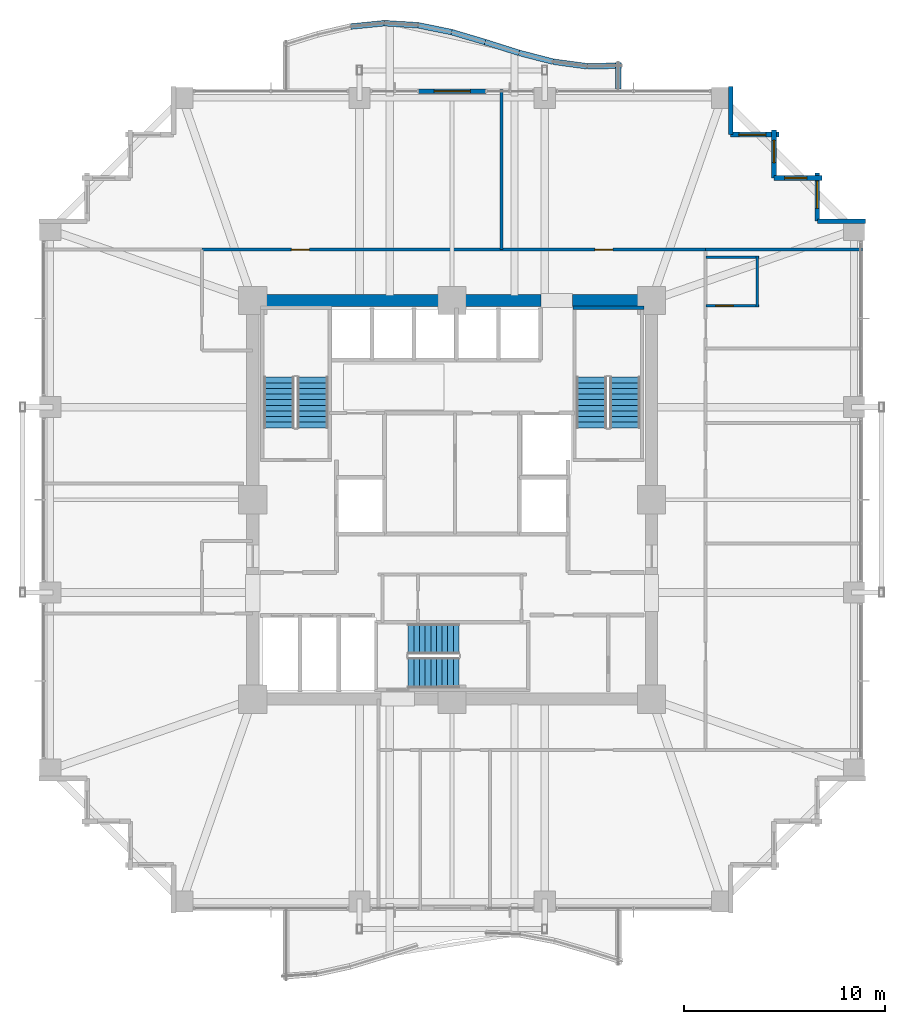
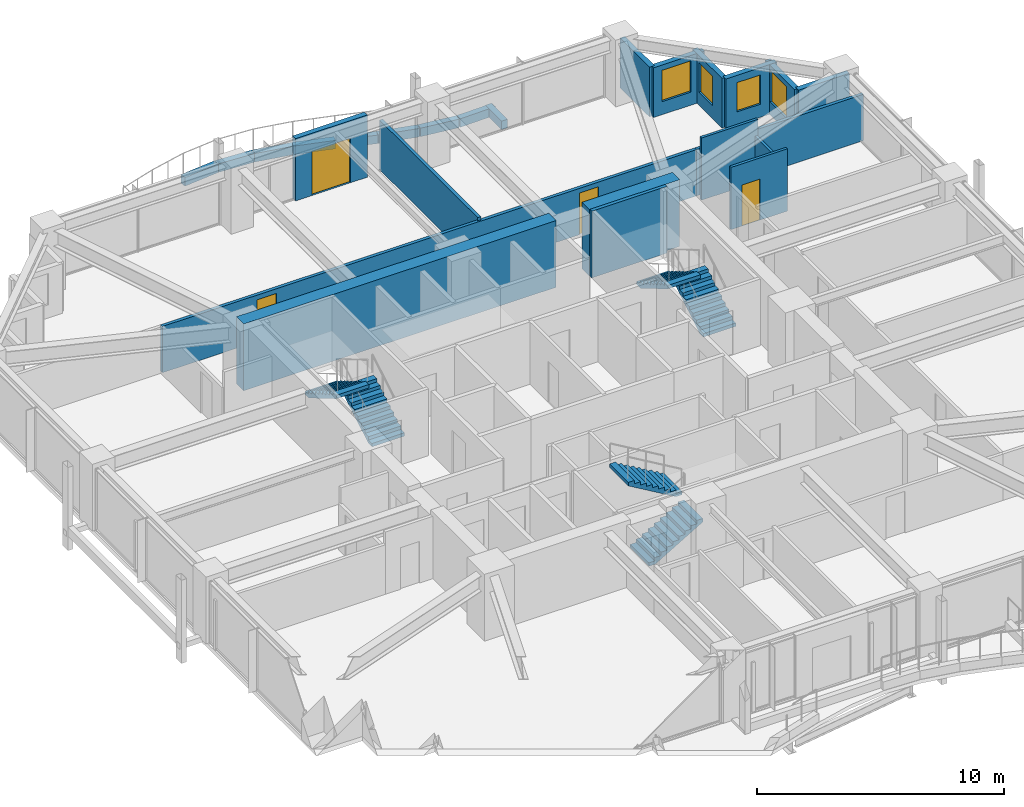
# One storey, part 35 of 38: 25 walls, 6 stair flights, 4 doors, 4 windows, 8 openings, 3 elements without a shape of their own.
"""IFC4 building model written with IfcOpenShell, lengths in metres."""

import ifcopenshell
import ifcopenshell.guid

model = None  # the IFC model being written
_history = None  # IfcOwnerHistory: only IFC2X3 demands one
_inside = {}  # id of a spatial element -> (the spatial element, [elements in it])
_under = {}  # id of a project, library or spatial element -> (it, [spatial elements below it])
_declared = {}  # id of a project -> (the project, [libraries it declares])
_typed = {}  # id of a type object -> (the type object, [elements of that type])
_made_of = {}  # id of a material, layer set ... -> (it, [elements and type objects made of it])


def new_model(schema):
    """Start an empty IFC model of exactly this schema.

    Asked for "IFC4X3", IfcOpenShell would pick the latest addendum, in which some entities
    have other attributes; the version numbers below select the first issue.
    IFC2X3 requires an IfcOwnerHistory on every rooted entity: one is made here for all.
    """
    global model, _history
    if schema == "IFC4X3":
        model = ifcopenshell.file(schema_version=(4, 3, 0, 0))
    else:
        model = ifcopenshell.file(schema=schema)
    _inside.clear()
    _under.clear()
    _declared.clear()
    _typed.clear()
    _made_of.clear()
    _history = None
    if model.schema == "IFC2X3":
        org = make("IfcOrganization", Name="unknown")
        user = make(
            "IfcPersonAndOrganization",
            ThePerson=make("IfcPerson", FamilyName="unknown"),
            TheOrganization=org,
        )
        app = make(
            "IfcApplication",
            ApplicationDeveloper=org,
            Version="unknown",
            ApplicationFullName="unknown",
            ApplicationIdentifier="unknown",
        )
        _history = make(
            "IfcOwnerHistory",
            OwningUser=user,
            OwningApplication=app,
            ChangeAction="ADDED",
            CreationDate=0,
        )
    return model


def make(cls, **values):
    """One entity of the class cls with the attributes given. An attribute that is None is left unset."""
    return model.create_entity(
        cls, **{name: value for name, value in values.items() if value is not None}
    )


def rooted(cls, **values):
    """An entity with a GlobalId (a new one), such as an element, a storey or a relation."""
    return make(cls, GlobalId=ifcopenshell.guid.new(), OwnerHistory=_history, **values)


def si_unit(unit_type, name, prefix=None):
    """IfcSIUnit, for example si_unit("LENGTHUNIT", "METRE", prefix="MILLI")."""
    return make("IfcSIUnit", UnitType=unit_type, Prefix=prefix, Name=name)


def assignment(units):
    """IfcUnitAssignment: the units of a project."""
    return None if units is None else make("IfcUnitAssignment", Units=units)


def point(xyz):
    """IfcCartesianPoint."""
    return None if xyz is None else make("IfcCartesianPoint", Coordinates=xyz)


def direction(xyz):
    """IfcDirection."""
    return None if xyz is None else make("IfcDirection", DirectionRatios=xyz)


def frame(location, z_axis=None, x_axis=None):
    """IfcAxis2Placement3D, a coordinate frame: its origin and axes. An axis left out is left unset."""
    return make(
        "IfcAxis2Placement3D",
        Location=point(location),
        Axis=direction(z_axis),
        RefDirection=direction(x_axis),
    )


def frame_2d(location, x_axis=None):
    """IfcAxis2Placement2D, a coordinate frame in the plane: its origin and x axis."""
    return make(
        "IfcAxis2Placement2D", Location=point(location), RefDirection=direction(x_axis)
    )


def origin():
    """The frame at (0, 0, 0) with its axes left unset."""
    return frame((0.0, 0.0, 0.0))


def place(relative_to, where):
    """IfcLocalPlacement: puts the frame where relative to a parent placement (None: the world)."""
    return make(
        "IfcLocalPlacement", PlacementRelTo=relative_to, RelativePlacement=where
    )


def context(
    kind, dimensions, precision=None, world=None, true_north=None, identifier=None
):
    """IfcGeometricRepresentationContext, for example the 3D "Model" context."""
    return make(
        "IfcGeometricRepresentationContext",
        ContextIdentifier=identifier,
        ContextType=kind,
        CoordinateSpaceDimension=dimensions,
        Precision=precision,
        WorldCoordinateSystem=world,
        TrueNorth=true_north,
    )


def subcontext(parent, identifier, kind, view, scale=None):
    """IfcGeometricRepresentationSubContext, for example "Body" below "Model"."""
    return make(
        "IfcGeometricRepresentationSubContext",
        ContextIdentifier=identifier,
        ContextType=kind,
        ParentContext=parent,
        TargetScale=scale,
        TargetView=view,
    )


def project(units=None, contexts=None):
    """IfcProject with its units and contexts."""
    return rooted(
        "IfcProject",
        Name="project",
        RepresentationContexts=contexts,
        UnitsInContext=assignment(units),
    )


def spatial(cls, under=None, at=None, **own):
    """A site, building, storey or space (cls), placed at a placement, below another one or the project."""
    s = rooted(cls, ObjectPlacement=at, **own)
    if under is not None:
        _under.setdefault(under.id(), (under, []))[1].append(s)
    return s


def polyline(points):
    """IfcPolyline through the points."""
    return make("IfcPolyline", Points=[point(p) for p in points])


def profile(cls, at=None, kind="AREA", **sizes):
    """A parametric profile (cls). Its sizes go by their IFC names, for example OverallWidth=200.0."""
    return make(cls, ProfileType=kind, Position=at, **sizes)


def rectangle(**sizes):
    """IfcRectangleProfileDef."""
    return profile("IfcRectangleProfileDef", **sizes)


def outline(outer, holes=None, kind="AREA"):
    """IfcArbitraryClosedProfileDef: a profile drawn as a closed curve; with holes, ...WithVoids."""
    if holes is None:
        return make("IfcArbitraryClosedProfileDef", ProfileType=kind, OuterCurve=outer)
    return make(
        "IfcArbitraryProfileDefWithVoids",
        ProfileType=kind,
        OuterCurve=outer,
        InnerCurves=holes,
    )


def extrude(swept, where, along, depth):
    """IfcExtrudedAreaSolid: the profile swept, set in the frame where, extruded along a direction by depth."""
    return make(
        "IfcExtrudedAreaSolid",
        SweptArea=swept,
        Position=where,
        ExtrudedDirection=direction(along),
        Depth=depth,
    )


def shape(context_of_items, identifier, shape_type, items):
    """IfcShapeRepresentation: the items that make up one representation, for example the "Body"."""
    return make(
        "IfcShapeRepresentation",
        ContextOfItems=context_of_items,
        RepresentationIdentifier=identifier,
        RepresentationType=shape_type,
        Items=items,
    )


def material(Name=None, Category=None):
    """IfcMaterial."""
    return make("IfcMaterial", Name=Name, Category=Category)


def layer(
    of_material, thickness, ventilated=None, Name=None, Category=None, Priority=None
):
    """IfcMaterialLayer: one layer of a wall or slab, of a material (None: an air gap)."""
    return make(
        "IfcMaterialLayer",
        Material=of_material,
        LayerThickness=thickness,
        IsVentilated=ventilated,
        Name=Name,
        Category=Category,
        Priority=Priority,
    )


def layer_set(layers, Name=None):
    """IfcMaterialLayerSet."""
    return make("IfcMaterialLayerSet", MaterialLayers=layers, LayerSetName=Name)


def made_of(thing, what):
    """Note that an element or type object is made of a material, layer set ...; save() writes the relation."""
    if what is not None:
        _made_of.setdefault(what.id(), (what, []))[1].append(thing)
    return thing


def type_object(cls, material=None, **own):
    """A type object (cls), such as IfcWallType, which elements share."""
    return made_of(rooted(cls, **own), material)


def element(
    cls,
    number,
    at=None,
    inside=None,
    cuts=None,
    type_object=None,
    material=None,
    context=None,
    identifier="Body",
    shape_type=None,
    held_by="IfcProductDefinitionShape",
    body=None,
    shapes=None,
    **own,
):
    """One element of the class cls, such as IfcWall. Its Tag is "e" and its number.

    at: its placement. inside: the storey or other place that contains it. cuts: it is an
    opening in that element (IfcRelVoidsElement). A single representation is given by context,
    identifier, shape_type and body (its items); several are given by shapes. held_by: the class
    of the entity that holds the representations. save() writes the other relations.
    """
    e = rooted(cls, Tag="e%d" % number, ObjectPlacement=at, **own)
    if body is not None:
        shapes = [shape(context, identifier, shape_type, body)]
    if shapes is not None:
        e.Representation = make(held_by, Representations=shapes)
    if inside is not None:
        _inside.setdefault(inside.id(), (inside, []))[1].append(e)
    if cuts is not None:
        rooted(
            "IfcRelVoidsElement", RelatingBuildingElement=cuts, RelatedOpeningElement=e
        )
    if type_object is not None:
        _typed.setdefault(type_object.id(), (type_object, []))[1].append(e)
    return made_of(e, material)


def fill(opening, filler):
    """IfcRelFillsElement: the door or window that sits in an opening."""
    return rooted(
        "IfcRelFillsElement",
        RelatingOpeningElement=opening,
        RelatedBuildingElement=filler,
    )


def aggregate(whole, parts):
    """IfcRelAggregates: a whole, such as a stair, and the parts it consists of."""
    return rooted("IfcRelAggregates", RelatingObject=whole, RelatedObjects=parts)


def save(model, path):
    """Write the relations noted so far, then the file.

    IfcRelAggregates (storeys below a building ...), IfcRelContainedInSpatialStructure (elements
    in a storey), IfcRelDefinesByType, IfcRelAssociatesMaterial and IfcRelDeclares: one each for
    every whole, place, type object, material and project.
    """
    for whole, parts in _under.values():
        aggregate(whole, parts)
    for where, things in _inside.values():
        rooted(
            "IfcRelContainedInSpatialStructure",
            RelatedElements=things,
            RelatingStructure=where,
        )
    for kind, things in _typed.values():
        rooted("IfcRelDefinesByType", RelatedObjects=things, RelatingType=kind)
    for what, things in _made_of.values():
        rooted("IfcRelAssociatesMaterial", RelatedObjects=things, RelatingMaterial=what)
    for by, libraries in _declared.values():
        rooted("IfcRelDeclares", RelatingContext=by, RelatedDefinitions=libraries)
    model.write(path)


model = new_model("IFC4")

# Units and contexts
model_context = context("Model", 3, precision=1e-05, world=origin(), true_north=direction((0.0, 1.0)))
body_context = subcontext(model_context, "Body", "Model", "MODEL_VIEW")
ifc_project = project(units=[si_unit("LENGTHUNIT", "METRE"), si_unit("AREAUNIT", "SQUARE_METRE"), si_unit("VOLUMEUNIT", "CUBIC_METRE"), si_unit("PLANEANGLEUNIT", "RADIAN"), si_unit("MASSUNIT", "GRAM", prefix="KILO")], contexts=[model_context])

# Site, building, storey
site_placement = place(None, origin())
site = spatial("IfcSite", under=ifc_project, at=site_placement, CompositionType="ELEMENT")
building_placement = place(site_placement, origin())
building = spatial("IfcBuilding", under=site, at=building_placement, Name="Kolvaren Belvedere", CompositionType="ELEMENT")
storey_placement = place(building_placement, frame((0.0, 0.0, 72.199951171875)))
storey = spatial("IfcBuildingStorey", under=building, at=storey_placement, Name="L20", CompositionType="ELEMENT", Elevation=72.199951171875)

# Walls
ifc_material_1 = material(Name="Concrete C60/75", Category="concrete")
ifc_layer_1 = layer(ifc_material_1, 0.60009765625)
ifc_layer_set_1 = layer_set([ifc_layer_1], Name="Concrete C60/75")
wall_type_1 = type_object("IfcWallType", Name="CW-CORE-600", PredefinedType="SHEAR", material=ifc_layer_set_1)
wall_1_placement = place(storey_placement, frame((-10.199951171875, 9.89990234375, 0.0), z_axis=(0.0, 0.0, 1.0), x_axis=(1.0, 0.0, 0.0)))
element("IfcWall", 1, at=wall_1_placement, inside=storey, type_object=wall_type_1, Name="L20 North Core Shear Wall 1", PredefinedType="SHEAR", context=body_context, shape_type="SweptSolid", body=[
    extrude(rectangle(XDim=14.619873046875, YDim=0.60009765625, at=frame_2d((7.31005859375, 0.0))), origin(), (0.0, 0.0, 1.0), 3.300048828125),
])
wall_2_placement = place(storey_placement, frame((5.97998046875, 9.89990234375, 0.0), z_axis=(0.0, 0.0, 1.0), x_axis=(1.0, 0.0, 0.0)))
element("IfcWall", 2, at=wall_2_placement, inside=storey, type_object=wall_type_1, Name="L20 North Core Shear Wall 2", PredefinedType="SHEAR", context=body_context, shape_type="SweptSolid", body=[
    extrude(rectangle(XDim=4.219970703125, YDim=0.60009765625, at=frame_2d((2.10986328125, 0.0))), origin(), (0.0, 0.0, 1.0), 3.300048828125),
])
ifc_material_2 = material(Name="Concrete C50/60", Category="concrete")
ifc_layer_2 = layer(ifc_material_2, 0.159912109375)
ifc_layer_set_2 = layer_set([ifc_layer_2], Name="Concrete C50/60")
wall_type_2 = type_object("IfcWallType", Name="CW-STAIR-160", PredefinedType="SHEAR", material=ifc_layer_set_2)
wall_3_placement = place(storey_placement, frame((6.0, 9.530029296875, 0.0), z_axis=(0.0, 0.0, 1.0), x_axis=(1.0, 0.0, 0.0)))
element("IfcWall", 3, at=wall_3_placement, inside=storey, type_object=wall_type_2, Name="L20 Stair ST-2 North Shear Wall", PredefinedType="SHEAR", context=body_context, shape_type="SweptSolid", body=[
    extrude(rectangle(XDim=3.52001953125, YDim=0.159912109375, at=frame_2d((1.760009765625, 0.0))), origin(), (0.0, 0.0, 1.0), 3.300048828125),
])

# Wall, openings, doors
ifc_material_3 = material(Name="Gypsum fire-rated partition assembly", Category="gypsum")
ifc_layer_3 = layer(ifc_material_3, 0.14990234375)
ifc_layer_set_3 = layer_set([ifc_layer_3], Name="Gypsum fire-rated partition assembly")
wall_type_3 = type_object("IfcWallType", Name="WL-CORR-150", PredefinedType="PARTITIONING", material=ifc_layer_set_3)
wall_4_placement = place(storey_placement, frame((-12.419921875, 12.419921875, 0.0), z_axis=(0.0, 0.0, 1.0), x_axis=(1.0, 0.0, 0.0)))
wall_4 = element("IfcWall", 4, at=wall_4_placement, inside=storey, type_object=wall_type_3, Name="L20 North Corridor Wall", PredefinedType="PARTITIONING", context=body_context, shape_type="SweptSolid", body=[
    extrude(rectangle(XDim=25.0, YDim=0.14990234375, at=frame_2d((12.5, 0.0))), origin(), (0.0, 0.0, 1.0), 2.2919921875),
])
opening_1_placement = place(wall_4_placement, frame((4.43505859375, 0.0, 0.0)))
opening_1 = element("IfcOpeningElement", 5, at=opening_1_placement, cuts=wall_4, Name="Opening D-INT90", PredefinedType="OPENING", context=body_context, shape_type="SweptSolid", body=[
    extrude(rectangle(XDim=0.89990234375, YDim=2.06005859375, at=frame_2d((0.449951171875, 1.030029296875))), frame((0.0, 0.0849609375, 0.0), z_axis=(0.0, -1.0, 0.0), x_axis=(1.0, 0.0, 0.0)), (0.0, 0.0, 1.0), 0.169921875),
])
opening_2_placement = place(wall_4_placement, frame((19.5048828125, 0.0, 0.0)))
opening_2 = element("IfcOpeningElement", 6, at=opening_2_placement, cuts=wall_4, Name="Opening D-INT90", PredefinedType="OPENING", context=body_context, shape_type="SweptSolid", body=[
    extrude(rectangle(XDim=0.89990234375, YDim=2.06005859375, at=frame_2d((0.449951171875, 1.030029296875))), frame((0.0, 0.0849609375, 0.0), z_axis=(0.0, -1.0, 0.0), x_axis=(1.0, 0.0, 0.0)), (0.0, 0.0, 1.0), 0.169921875),
])
ifc_material_4 = material(Name="Stained Pacific white oak", Category="timber")
door_type_1 = type_object("IfcDoorType", Name="DR-INT-900", OperationType="NOTDEFINED", PredefinedType="DOOR", material=ifc_material_4)
door_1_placement = place(opening_1_placement, origin())
door_1 = element("IfcDoor", 7, at=door_1_placement, inside=storey, type_object=door_type_1, Name="L20 Lounge 2001 Door", OperationType="SINGLE_SWING_RIGHT", OverallHeight=2.06005859375, OverallWidth=0.89990234375, PredefinedType="DOOR", context=body_context, shape_type="SweptSolid", body=[
    extrude(rectangle(XDim=0.89990234375, YDim=2.06005859375, at=frame_2d((0.449951171875, 1.030029296875))), frame((0.0, 0.02490234375, 0.0), z_axis=(0.0, -1.0, 0.0), x_axis=(1.0, 0.0, 0.0)), (0.0, 0.0, 1.0), 0.050048828125),
])
fill(opening_1, door_1)
door_2_placement = place(opening_2_placement, origin())
door_2 = element("IfcDoor", 8, at=door_2_placement, inside=storey, type_object=door_type_1, Name="L20 Lounge 2002 Door", OperationType="SINGLE_SWING_LEFT", OverallHeight=2.06005859375, OverallWidth=0.89990234375, PredefinedType="DOOR", context=body_context, shape_type="SweptSolid", body=[
    extrude(rectangle(XDim=0.89990234375, YDim=2.06005859375, at=frame_2d((0.449951171875, 1.030029296875))), frame((0.0, 0.02490234375, 0.0), z_axis=(0.0, -1.0, 0.0), x_axis=(1.0, 0.0, 0.0)), (0.0, 0.0, 1.0), 0.050048828125),
])
fill(opening_2, door_2)

# Wall
ifc_material_5 = material(Name="Insulated pale-metal facade wall assembly", Category="aluminium")
ifc_layer_4 = layer(ifc_material_5, 0.239990234375)
ifc_layer_set_4 = layer_set([ifc_layer_4], Name="Insulated pale-metal facade wall assembly")
wall_type_4 = type_object("IfcWallType", Name="WL-EXT-240", PredefinedType="STANDARD", material=ifc_layer_set_4)
wall_5_placement = place(storey_placement, frame((18.1298828125, 13.830078125, 0.0), z_axis=(0.0, 0.0, 1.0), x_axis=(1.0, 0.0, 0.0)))
element("IfcWall", 9, at=wall_5_placement, inside=storey, type_object=wall_type_4, Name="L20 Serrated Corner Facade Wall 9", PredefinedType="STANDARD", context=body_context, shape_type="SweptSolid", body=[
    extrude(rectangle(XDim=2.39013671875, YDim=0.239990234375, at=frame_2d((1.195068359375, 0.0))), origin(), (0.0, 0.0, 1.0), 2.458984375),
])

# Wall, opening, window
wall_6_placement = place(storey_placement, frame((18.1298828125, 16.219970703125, 0.0), z_axis=(0.0, 0.0, 1.0), x_axis=(0.0, -1.0, 0.0)))
wall_6 = element("IfcWall", 10, at=wall_6_placement, inside=storey, type_object=wall_type_4, Name="L20 Serrated Corner Facade Wall 10", PredefinedType="STANDARD", context=body_context, shape_type="SweptSolid", body=[
    extrude(rectangle(XDim=2.389892578125, YDim=0.239990234375, at=frame_2d((1.19482421875, 0.0))), origin(), (0.0, 0.0, 1.0), 2.458984375),
])
opening_3_placement = place(wall_6_placement, frame((0.39990234375, 0.0, 0.64990234375)))
opening_3 = element("IfcOpeningElement", 11, at=opening_3_placement, cuts=wall_6, Name="Opening W-1350", PredefinedType="OPENING", context=body_context, shape_type="SweptSolid", body=[
    extrude(rectangle(XDim=1.35009765625, YDim=1.550048828125, at=frame_2d((0.675048828125, 0.77490234375))), frame((0.0, 0.1298828125, 0.0), z_axis=(0.0, -1.0, 0.0), x_axis=(1.0, 0.0, 0.0)), (0.0, 0.0, 1.0), 0.260009765625),
])
ifc_material_6 = material(Name="Low-iron triple insulated glass", Category="glass")
window_type_1 = type_object("IfcWindowType", Name="WN-CORN-1350", PartitioningType="SINGLE_PANEL", PredefinedType="WINDOW", material=ifc_material_6)
window_1_placement = place(opening_3_placement, origin())
window_1 = element("IfcWindow", 12, at=window_1_placement, inside=storey, type_object=window_type_1, Name="L20 Serrated Corner Vision Window 10", OverallHeight=1.550048828125, OverallWidth=1.35009765625, PartitioningType="SINGLE_PANEL", PredefinedType="WINDOW", context=body_context, shape_type="SweptSolid", body=[
    extrude(rectangle(XDim=1.35009765625, YDim=1.550048828125, at=frame_2d((0.675048828125, 0.77490234375))), frame((0.0, 0.030029296875, 0.0), z_axis=(0.0, -1.0, 0.0), x_axis=(1.0, 0.0, 0.0)), (0.0, 0.0, 1.0), 0.06005859375),
])
fill(opening_3, window_1)

wall_7_placement = place(storey_placement, frame((15.97998046875, 15.97998046875, 0.0), z_axis=(0.0, 0.0, 1.0), x_axis=(1.0, 0.0, 0.0)))
wall_7 = element("IfcWall", 13, at=wall_7_placement, inside=storey, type_object=wall_type_4, Name="L20 Serrated Corner Facade Wall 11", PredefinedType="STANDARD", context=body_context, shape_type="SweptSolid", body=[
    extrude(rectangle(XDim=2.39013671875, YDim=0.239990234375, at=frame_2d((1.195068359375, 0.0))), origin(), (0.0, 0.0, 1.0), 2.458984375),
])
opening_4_placement = place(wall_7_placement, frame((0.52490234375, 0.0, 0.64990234375)))
opening_4 = element("IfcOpeningElement", 14, at=opening_4_placement, cuts=wall_7, Name="Opening W-1100", PredefinedType="OPENING", context=body_context, shape_type="SweptSolid", body=[
    extrude(rectangle(XDim=1.10009765625, YDim=1.449951171875, at=frame_2d((0.550048828125, 0.72509765625))), frame((0.0, 0.1298828125, 0.0), z_axis=(0.0, -1.0, 0.0), x_axis=(1.0, 0.0, 0.0)), (0.0, 0.0, 1.0), 0.260009765625),
])
ifc_material_7 = material(Name="Low-iron triple insulated glass", Category="glass")
window_type_2 = type_object("IfcWindowType", Name="WN-CORN-1100", PartitioningType="SINGLE_PANEL", PredefinedType="WINDOW", material=ifc_material_7)
window_2_placement = place(opening_4_placement, origin())
window_2 = element("IfcWindow", 15, at=window_2_placement, inside=storey, type_object=window_type_2, Name="L20 Serrated Corner Vision Window 11", OverallHeight=1.449951171875, OverallWidth=1.10009765625, PartitioningType="SINGLE_PANEL", PredefinedType="WINDOW", context=body_context, shape_type="SweptSolid", body=[
    extrude(rectangle(XDim=1.10009765625, YDim=1.449951171875, at=frame_2d((0.550048828125, 0.72509765625))), frame((0.0, 0.030029296875, 0.0), z_axis=(0.0, -1.0, 0.0), x_axis=(1.0, 0.0, 0.0)), (0.0, 0.0, 1.0), 0.06005859375),
])
fill(opening_4, window_2)

wall_8_placement = place(storey_placement, frame((15.97998046875, 18.3701171875, 0.0), z_axis=(0.0, 0.0, 1.0), x_axis=(0.0, -1.0, 0.0)))
wall_8 = element("IfcWall", 16, at=wall_8_placement, inside=storey, type_object=wall_type_4, Name="L20 Serrated Corner Facade Wall 12", PredefinedType="STANDARD", context=body_context, shape_type="SweptSolid", body=[
    extrude(rectangle(XDim=2.39013671875, YDim=0.239990234375, at=frame_2d((1.195068359375, 0.0))), origin(), (0.0, 0.0, 1.0), 2.458984375),
])
opening_5_placement = place(wall_8_placement, frame((0.52490234375, 0.0, 0.64990234375)))
opening_5 = element("IfcOpeningElement", 17, at=opening_5_placement, cuts=wall_8, Name="Opening W-1100", PredefinedType="OPENING", context=body_context, shape_type="SweptSolid", body=[
    extrude(rectangle(XDim=1.10009765625, YDim=1.449951171875, at=frame_2d((0.550048828125, 0.72509765625))), frame((0.0, 0.1298828125, 0.0), z_axis=(0.0, -1.0, 0.0), x_axis=(1.0, 0.0, 0.0)), (0.0, 0.0, 1.0), 0.260009765625),
])
window_3_placement = place(opening_5_placement, origin())
window_3 = element("IfcWindow", 18, at=window_3_placement, inside=storey, type_object=window_type_2, Name="L20 Serrated Corner Vision Window 12", OverallHeight=1.449951171875, OverallWidth=1.10009765625, PartitioningType="SINGLE_PANEL", PredefinedType="WINDOW", context=body_context, shape_type="SweptSolid", body=[
    extrude(rectangle(XDim=1.10009765625, YDim=1.449951171875, at=frame_2d((0.550048828125, 0.72509765625))), frame((0.0, 0.030029296875, 0.0), z_axis=(0.0, -1.0, 0.0), x_axis=(1.0, 0.0, 0.0)), (0.0, 0.0, 1.0), 0.06005859375),
])
fill(opening_5, window_3)

wall_9_placement = place(storey_placement, frame((13.830078125, 18.1298828125, 0.0), z_axis=(0.0, 0.0, 1.0), x_axis=(1.0, 0.0, 0.0)))
wall_9 = element("IfcWall", 19, at=wall_9_placement, inside=storey, type_object=wall_type_4, Name="L20 Serrated Corner Facade Wall 13", PredefinedType="STANDARD", context=body_context, shape_type="SweptSolid", body=[
    extrude(rectangle(XDim=2.389892578125, YDim=0.239990234375, at=frame_2d((1.19482421875, 0.0))), origin(), (0.0, 0.0, 1.0), 2.458984375),
])
opening_6_placement = place(wall_9_placement, frame((0.39990234375, 0.0, 0.64990234375)))
opening_6 = element("IfcOpeningElement", 20, at=opening_6_placement, cuts=wall_9, Name="Opening W-1350", PredefinedType="OPENING", context=body_context, shape_type="SweptSolid", body=[
    extrude(rectangle(XDim=1.35009765625, YDim=1.550048828125, at=frame_2d((0.675048828125, 0.77490234375))), frame((0.0, 0.1298828125, 0.0), z_axis=(0.0, -1.0, 0.0), x_axis=(1.0, 0.0, 0.0)), (0.0, 0.0, 1.0), 0.260009765625),
])
window_4_placement = place(opening_6_placement, origin())
window_4 = element("IfcWindow", 21, at=window_4_placement, inside=storey, type_object=window_type_1, Name="L20 Serrated Corner Vision Window 13", OverallHeight=1.550048828125, OverallWidth=1.35009765625, PartitioningType="SINGLE_PANEL", PredefinedType="WINDOW", context=body_context, shape_type="SweptSolid", body=[
    extrude(rectangle(XDim=1.35009765625, YDim=1.550048828125, at=frame_2d((0.675048828125, 0.77490234375))), frame((0.0, 0.030029296875, 0.0), z_axis=(0.0, -1.0, 0.0), x_axis=(1.0, 0.0, 0.0)), (0.0, 0.0, 1.0), 0.06005859375),
])
fill(opening_6, window_4)

# Wall
wall_10_placement = place(storey_placement, frame((13.830078125, 20.52001953125, 0.0), z_axis=(0.0, 0.0, 1.0), x_axis=(0.0, -1.0, 0.0)))
element("IfcWall", 22, at=wall_10_placement, inside=storey, type_object=wall_type_4, Name="L20 Serrated Corner Facade Wall 14", PredefinedType="STANDARD", context=body_context, shape_type="SweptSolid", body=[
    extrude(rectangle(XDim=2.39013671875, YDim=0.239990234375, at=frame_2d((1.195068359375, 0.0))), origin(), (0.0, 0.0, 1.0), 2.458984375),
])

# Wall, opening, door
wall_11_placement = place(storey_placement, frame((-1.679931640625, 20.280029296875, 0.0), z_axis=(0.0, 0.0, 1.0), x_axis=(1.0, 0.0, 0.0)))
wall_11 = element("IfcWall", 23, at=wall_11_placement, inside=storey, type_object=wall_type_4, Name="L20 North Terrace Portal Wall", PredefinedType="STANDARD", context=body_context, shape_type="SweptSolid", body=[
    extrude(rectangle(XDim=3.35986328125, YDim=0.239990234375, at=frame_2d((1.679931640625, 0.0))), origin(), (0.0, 0.0, 1.0), 3.080078125),
])
opening_7_placement = place(wall_11_placement, frame((0.780029296875, 0.0, 0.0)))
opening_7 = element("IfcOpeningElement", 24, at=opening_7_placement, cuts=wall_11, Name="Opening DB-1800", PredefinedType="OPENING", context=body_context, shape_type="SweptSolid", body=[
    extrude(rectangle(XDim=1.800048828125, YDim=2.199951171875, at=frame_2d((0.89990234375, 1.10009765625))), frame((0.0, 0.1298828125, 0.0), z_axis=(0.0, -1.0, 0.0), x_axis=(1.0, 0.0, 0.0)), (0.0, 0.0, 1.0), 0.260009765625),
])
ifc_material_8 = material(Name="Thermally broken pale-metal aluminium & low-iron glass", Category="aluminium")
door_type_2 = type_object("IfcDoorType", Name="DR-BAL-1800", OperationType="DOUBLE_DOOR_SLIDING", PredefinedType="DOOR", material=ifc_material_8)
door_3_placement = place(opening_7_placement, origin())
door_3 = element("IfcDoor", 25, at=door_3_placement, inside=storey, type_object=door_type_2, Name="L20 North Planted Terrace Sliding Door", OperationType="DOUBLE_DOOR_SLIDING", OverallHeight=2.199951171875, OverallWidth=1.800048828125, PredefinedType="DOOR", context=body_context, shape_type="SweptSolid", body=[
    extrude(rectangle(XDim=1.800048828125, YDim=2.199951171875, at=frame_2d((0.89990234375, 1.10009765625))), frame((0.0, 0.02490234375, 0.0), z_axis=(0.0, -1.0, 0.0), x_axis=(1.0, 0.0, 0.0)), (0.0, 0.0, 1.0), 0.050048828125),
])
fill(opening_7, door_3)

# Walls
ifc_material_9 = material(Name="Gypsum acoustic partition assembly", Category="gypsum")
ifc_layer_5 = layer(ifc_material_9, 0.14990234375)
ifc_layer_set_5 = layer_set([ifc_layer_5], Name="Gypsum acoustic partition assembly")
wall_type_5 = type_object("IfcWallType", Name="WL-PART-150", PredefinedType="PARTITIONING", material=ifc_layer_set_5)
wall_12_placement = place(storey_placement, frame((12.580078125, 12.419921875, 0.0), z_axis=(0.0, 0.0, 1.0), x_axis=(1.0, 0.0, 0.0)))
element("IfcWall", 26, at=wall_12_placement, inside=storey, type_object=wall_type_5, Name="L20 Wing Divider PW-L20-QNE", PredefinedType="PARTITIONING", context=body_context, shape_type="SweptSolid", body=[
    extrude(rectangle(XDim=7.7998046875, YDim=0.14990234375, at=frame_2d((3.89990234375, 0.0))), origin(), (0.0, 0.0, 1.0), 2.2919921875),
])
wall_13_placement = place(storey_placement, frame((2.451904296875, 12.419921875, 0.0), z_axis=(0.0, 0.0, 1.0), x_axis=(0.0, 1.0, 0.0)))
element("IfcWall", 27, at=wall_13_placement, inside=storey, type_object=wall_type_5, Name="L20 North Suite Demising Wall 1", PredefinedType="PARTITIONING", context=body_context, shape_type="SweptSolid", body=[
    extrude(rectangle(XDim=7.9599609375, YDim=0.14990234375, at=frame_2d((3.97998046875, 0.0))), origin(), (0.0, 0.0, 1.0), 2.448974609375),
])
ifc_material_10 = material(Name="Precast concrete C40/50", Category="concrete")
ifc_layer_6 = layer(ifc_material_10, 0.300048828125)
ifc_layer_set_6 = layer_set([ifc_layer_6], Name="Precast concrete C40/50")
wall_type_6 = type_object("IfcWallType", Name="WL-PLANTER-300", PredefinedType="PARAPET", material=ifc_layer_set_6)
wall_14_placement = place(storey_placement, frame((8.239990234375, 20.39990234375, -0.0400390625), z_axis=(0.0, 0.0, 1.0), x_axis=(0.0, 1.0, 0.0)))
element("IfcWall", 28, at=wall_14_placement, inside=storey, type_object=wall_type_6, Name="L20 Precast Structural Planter Wall BAL-N-11", PredefinedType="PARAPET", context=body_context, shape_type="SweptSolid", body=[
    extrude(rectangle(XDim=1.31298828125, YDim=0.280029296875, at=frame_2d((0.656494140625, 0.0))), origin(), (0.0, 0.0, 1.0), 0.420166015625),
])
wall_15_placement = place(storey_placement, frame((8.4033203125, 21.552978515625, -0.0400390625), z_axis=(0.0, 0.0, 1.0), x_axis=(-0.99979609052, -0.020193498486, 0.0)))
element("IfcWall", 29, at=wall_15_placement, inside=storey, type_object=wall_type_6, Name="L20 Precast Structural Planter Wall BAL-N-12", PredefinedType="PARAPET", context=body_context, shape_type="SweptSolid", body=[
    extrude(rectangle(XDim=1.680419921875, YDim=0.280029296875, at=frame_2d((0.84033203125, 0.0))), origin(), (0.0, 0.0, 1.0), 0.420166015625),
])
wall_16_placement = place(storey_placement, frame((6.698486328125, 21.5205078125, -0.0400390625), z_axis=(0.0, 0.0, 1.0), x_axis=(-0.990858183042, 0.134907602079, 0.0)))
element("IfcWall", 30, at=wall_16_placement, inside=storey, type_object=wall_type_6, Name="L20 Precast Structural Planter Wall BAL-N-13", PredefinedType="PARAPET", context=body_context, shape_type="SweptSolid", body=[
    extrude(rectangle(XDim=1.695556640625, YDim=0.280029296875, at=frame_2d((0.84765625, 0.0))), origin(), (0.0, 0.0, 1.0), 0.420166015625),
])
wall_17_placement = place(storey_placement, frame((5.0, 21.7529296875, -0.0400390625), z_axis=(0.0, 0.0, 1.0), x_axis=(-0.968141031826, 0.250405556038, 0.0)))
element("IfcWall", 31, at=wall_17_placement, inside=storey, type_object=wall_type_6, Name="L20 Precast Structural Planter Wall BAL-N-14", PredefinedType="PARAPET", context=body_context, shape_type="SweptSolid", body=[
    extrude(rectangle(XDim=1.7353515625, YDim=0.280029296875, at=frame_2d((0.86767578125, 0.0))), origin(), (0.0, 0.0, 1.0), 0.420166015625),
])
wall_18_placement = place(storey_placement, frame((3.3115234375, 22.18994140625, -0.0400390625), z_axis=(0.0, 0.0, 1.0), x_axis=(-0.953181954832, 0.302397356111, 0.0)))
element("IfcWall", 32, at=wall_18_placement, inside=storey, type_object=wall_type_6, Name="L20 Precast Structural Planter Wall BAL-N-15", PredefinedType="PARAPET", context=body_context, shape_type="SweptSolid", body=[
    extrude(rectangle(XDim=1.762451171875, YDim=0.280029296875, at=frame_2d((0.88134765625, 0.0))), origin(), (0.0, 0.0, 1.0), 0.420166015625),
])
wall_19_placement = place(storey_placement, frame((1.634521484375, 22.721923828125, -0.0400390625), z_axis=(0.0, 0.0, 1.0), x_axis=(-0.958536356279, 0.284970268083, 0.0)))
element("IfcWall", 33, at=wall_19_placement, inside=storey, type_object=wall_type_6, Name="L20 Precast Structural Planter Wall BAL-N-16", PredefinedType="PARAPET", context=body_context, shape_type="SweptSolid", body=[
    extrude(rectangle(XDim=1.7529296875, YDim=0.280029296875, at=frame_2d((0.87646484375, 0.0))), origin(), (0.0, 0.0, 1.0), 0.420166015625),
])
wall_20_placement = place(storey_placement, frame((-0.031982421875, 23.218017578125, -0.0400390625), z_axis=(0.0, 0.0, 1.0), x_axis=(-0.979867779516, 0.199647526069, 0.0)))
element("IfcWall", 34, at=wall_20_placement, inside=storey, type_object=wall_type_6, Name="L20 Precast Structural Planter Wall BAL-N-17", PredefinedType="PARAPET", context=body_context, shape_type="SweptSolid", body=[
    extrude(rectangle(XDim=1.71435546875, YDim=0.280029296875, at=frame_2d((0.857177734375, 0.0))), origin(), (0.0, 0.0, 1.0), 0.420166015625),
])
wall_21_placement = place(storey_placement, frame((-1.689697265625, 23.5576171875, -0.0400390625), z_axis=(0.0, 0.0, 1.0), x_axis=(-0.998134101522, 0.061059932685, 0.0)))
element("IfcWall", 35, at=wall_21_placement, inside=storey, type_object=wall_type_6, Name="L20 Precast Structural Planter Wall BAL-N-18", PredefinedType="PARAPET", context=body_context, shape_type="SweptSolid", body=[
    extrude(rectangle(XDim=1.683349609375, YDim=0.280029296875, at=frame_2d((0.841796875, 0.0))), origin(), (0.0, 0.0, 1.0), 0.420166015625),
])
wall_22_placement = place(storey_placement, frame((-3.343994140625, 23.660888671875, -0.0400390625), z_axis=(0.0, 0.0, 1.0), x_axis=(-0.995025731437, -0.099618240186, 0.0)))
element("IfcWall", 36, at=wall_22_placement, inside=storey, type_object=wall_type_6, Name="L20 Precast Structural Planter Wall BAL-N-19", PredefinedType="PARAPET", context=body_context, shape_type="SweptSolid", body=[
    extrude(rectangle(XDim=1.6884765625, YDim=0.280029296875, at=frame_2d((0.84423828125, 0.0))), origin(), (0.0, 0.0, 1.0), 0.420166015625),
])

# Wall, opening, door
ifc_material_11 = material(Name="Moisture-resistant gypsum partition", Category="gypsum")
ifc_layer_7 = layer(ifc_material_11, 0.125)
ifc_layer_set_7 = layer_set([ifc_layer_7], Name="Moisture-resistant gypsum partition")
wall_type_7 = type_object("IfcWallType", Name="WL-WET-125", PredefinedType="PARTITIONING", material=ifc_layer_set_7)
wall_23_placement = place(storey_placement, frame((12.594970703125, 9.64111328125, 0.0), z_axis=(0.0, 0.0, 1.0), x_axis=(1.0, 0.0, 0.0)))
wall_23 = element("IfcWall", 37, at=wall_23_placement, inside=storey, type_object=wall_type_7, Name="L20 Bathroom Partition PW-L20-BTH-6-N", PredefinedType="PARTITIONING", context=body_context, shape_type="SweptSolid", body=[
    extrude(rectangle(XDim=2.64013671875, YDim=0.125, at=frame_2d((1.320068359375, 0.0))), origin(), (0.0, 0.0, 1.0), 3.080078125),
])
opening_8_placement = place(wall_23_placement, frame((0.5, 0.0, 0.0)))
opening_8 = element("IfcOpeningElement", 38, at=opening_8_placement, cuts=wall_23, Name="Opening D-BTH85", PredefinedType="OPENING", context=body_context, shape_type="SweptSolid", body=[
    extrude(rectangle(XDim=0.85009765625, YDim=2.030029296875, at=frame_2d((0.425048828125, 1.01513671875))), frame((0.0, 0.072509765625, 0.0), z_axis=(0.0, -1.0, 0.0), x_axis=(1.0, 0.0, 0.0)), (0.0, 0.0, 1.0), 0.14501953125),
])
ifc_material_12 = material(Name="Moisture-sealed Pacific white oak", Category="timber")
door_type_3 = type_object("IfcDoorType", Name="DR-BATH-850", OperationType="NOTDEFINED", PredefinedType="DOOR", material=ifc_material_12)
door_4_placement = place(opening_8_placement, origin())
door_4 = element("IfcDoor", 39, at=door_4_placement, inside=storey, type_object=door_type_3, Name="L20 En-Suite Bathroom 2006 Door", OperationType="SINGLE_SWING_LEFT", OverallHeight=2.030029296875, OverallWidth=0.85009765625, PredefinedType="DOOR", context=body_context, shape_type="SweptSolid", body=[
    extrude(rectangle(XDim=0.85009765625, YDim=2.030029296875, at=frame_2d((0.425048828125, 1.01513671875))), frame((0.0, 0.02490234375, 0.0), z_axis=(0.0, -1.0, 0.0), x_axis=(1.0, 0.0, 0.0)), (0.0, 0.0, 1.0), 0.050048828125),
])
fill(opening_8, door_4)

# Walls
wall_24_placement = place(storey_placement, frame((15.155029296875, 9.5810546875, 0.0), z_axis=(0.0, 0.0, 1.0), x_axis=(0.0, 1.0, 0.0)))
element("IfcWall", 40, at=wall_24_placement, inside=storey, type_object=wall_type_7, Name="L20 Bathroom Partition PW-L20-BTH-6-V", PredefinedType="PARTITIONING", context=body_context, shape_type="SweptSolid", body=[
    extrude(rectangle(XDim=2.52001953125, YDim=0.125, at=frame_2d((1.260009765625, 0.0))), origin(), (0.0, 0.0, 1.0), 2.2919921875),
])
wall_25_placement = place(storey_placement, frame((12.594970703125, 12.041015625, 0.0), z_axis=(0.0, 0.0, 1.0), x_axis=(1.0, 0.0, 0.0)))
element("IfcWall", 41, at=wall_25_placement, inside=storey, type_object=wall_type_7, Name="L20 Bathroom Partition PW-L20-BTH-6-S", PredefinedType="PARTITIONING", context=body_context, shape_type="SweptSolid", body=[
    extrude(rectangle(XDim=2.64013671875, YDim=0.125, at=frame_2d((1.320068359375, 0.0))), origin(), (0.0, 0.0, 1.0), 3.080078125),
])

# Stair, stair flights
ifc_material_13 = material(Name="Concrete C50/60", Category="concrete")
stair_type = type_object("IfcStairType", Name="ST-CORE-1520", PredefinedType="HALF_TURN_STAIR", material=ifc_material_13)
stair_1_placement = place(storey_placement, origin())
stair_1 = element("IfcStair", 42, at=stair_1_placement, inside=storey, type_object=stair_type, Name="L20 Protected Exit Stair ST-1", PredefinedType="HALF_TURN_STAIR")
ifc_material_14 = material(Name="Concrete C50/60", Category="concrete")
stair_flight_type = type_object("IfcStairFlightType", Name="SF-STR-1520", PredefinedType="STRAIGHT", material=ifc_material_14)
stair_flight_1_placement = place(storey_placement, frame((-6.919921875, 3.570068359375, 0.0), z_axis=(0.0, 0.0, 1.0), x_axis=(0.0, 1.0, 0.0)))
stair_flight_1 = element("IfcStairFlight", 43, at=stair_flight_1_placement, type_object=stair_flight_type, Name="ST-1 flight 1", NumberOfRisers=10, NumberOfTreads=9, PredefinedType="STRAIGHT", RiserHeight=0.165, TreadLength=0.28, context=body_context, shape_type="SweptSolid", body=[
    extrude(outline(polyline([(0.0, 0.0), (0.0, 0.1650390625), (0.280029296875, 0.1650390625), (0.280029296875, 0.330078125), (0.56005859375, 0.330078125), (0.56005859375, 0.4951171875), (0.840087890625, 0.4951171875), (0.840087890625, 0.659912109375), (1.1201171875, 0.659912109375), (1.1201171875, 0.824951171875), (1.39990234375, 0.824951171875), (1.39990234375, 0.989990234375), (1.679931640625, 0.989990234375), (1.679931640625, 1.155029296875), (1.9599609375, 1.155029296875), (1.9599609375, 1.320068359375), (2.239990234375, 1.320068359375), (2.239990234375, 1.485107421875), (2.52001953125, 1.485107421875), (2.52001953125, 1.64990234375), (2.52001953125, 1.31103515625), (0.295166015625, 0.0), (0.0, 0.0)])), frame((0.0, 0.760009765625, 0.0), z_axis=(0.0, -1.0, 0.0), x_axis=(1.0, 0.0, 0.0)), (0.0, 0.0, 1.0), 1.52001953125),
])
stair_flight_2_placement = place(storey_placement, frame((-8.590087890625, 6.090087890625, 1.650146484375), z_axis=(0.0, 0.0, 1.0), x_axis=(0.0, -1.0, 0.0)))
stair_flight_2 = element("IfcStairFlight", 44, at=stair_flight_2_placement, type_object=stair_flight_type, Name="ST-1 flight 2", NumberOfRisers=10, NumberOfTreads=9, PredefinedType="STRAIGHT", RiserHeight=0.165, TreadLength=0.28, context=body_context, shape_type="SweptSolid", body=[
    extrude(outline(polyline([(0.0, 0.0), (0.0, 0.1650390625), (0.280029296875, 0.1650390625), (0.280029296875, 0.330078125), (0.56005859375, 0.330078125), (0.56005859375, 0.4951171875), (0.840087890625, 0.4951171875), (0.840087890625, 0.659912109375), (1.1201171875, 0.659912109375), (1.1201171875, 0.824951171875), (1.39990234375, 0.824951171875), (1.39990234375, 0.989990234375), (1.679931640625, 0.989990234375), (1.679931640625, 1.155029296875), (1.9599609375, 1.155029296875), (1.9599609375, 1.320068359375), (2.239990234375, 1.320068359375), (2.239990234375, 1.485107421875), (2.52001953125, 1.485107421875), (2.52001953125, 1.64990234375), (2.52001953125, 1.31103515625), (0.295166015625, 0.0), (0.0, 0.0)])), frame((0.0, 0.760009765625, 0.0), z_axis=(0.0, -1.0, 0.0), x_axis=(1.0, 0.0, 0.0)), (0.0, 0.0, 1.0), 1.52001953125),
])
aggregate(stair_1, [stair_flight_1, stair_flight_2])

stair_2_placement = place(storey_placement, origin())
stair_2 = element("IfcStair", 45, at=stair_2_placement, inside=storey, type_object=stair_type, Name="L20 Protected Exit Stair ST-2", PredefinedType="HALF_TURN_STAIR")
stair_flight_3_placement = place(storey_placement, frame((8.590087890625, 3.570068359375, 0.0), z_axis=(0.0, 0.0, 1.0), x_axis=(0.0, 1.0, 0.0)))
stair_flight_3 = element("IfcStairFlight", 46, at=stair_flight_3_placement, type_object=stair_flight_type, Name="ST-2 flight 1", NumberOfRisers=10, NumberOfTreads=9, PredefinedType="STRAIGHT", RiserHeight=0.165, TreadLength=0.28, context=body_context, shape_type="SweptSolid", body=[
    extrude(outline(polyline([(0.0, 0.0), (0.0, 0.1650390625), (0.280029296875, 0.1650390625), (0.280029296875, 0.330078125), (0.56005859375, 0.330078125), (0.56005859375, 0.4951171875), (0.840087890625, 0.4951171875), (0.840087890625, 0.659912109375), (1.1201171875, 0.659912109375), (1.1201171875, 0.824951171875), (1.39990234375, 0.824951171875), (1.39990234375, 0.989990234375), (1.679931640625, 0.989990234375), (1.679931640625, 1.155029296875), (1.9599609375, 1.155029296875), (1.9599609375, 1.320068359375), (2.239990234375, 1.320068359375), (2.239990234375, 1.485107421875), (2.52001953125, 1.485107421875), (2.52001953125, 1.64990234375), (2.52001953125, 1.31103515625), (0.295166015625, 0.0), (0.0, 0.0)])), frame((0.0, 0.760009765625, 0.0), z_axis=(0.0, -1.0, 0.0), x_axis=(1.0, 0.0, 0.0)), (0.0, 0.0, 1.0), 1.52001953125),
])
stair_flight_4_placement = place(storey_placement, frame((6.919921875, 6.090087890625, 1.650146484375), z_axis=(0.0, 0.0, 1.0), x_axis=(0.0, -1.0, 0.0)))
stair_flight_4 = element("IfcStairFlight", 47, at=stair_flight_4_placement, type_object=stair_flight_type, Name="ST-2 flight 2", NumberOfRisers=10, NumberOfTreads=9, PredefinedType="STRAIGHT", RiserHeight=0.165, TreadLength=0.28, context=body_context, shape_type="SweptSolid", body=[
    extrude(outline(polyline([(0.0, 0.0), (0.0, 0.1650390625), (0.280029296875, 0.1650390625), (0.280029296875, 0.330078125), (0.56005859375, 0.330078125), (0.56005859375, 0.4951171875), (0.840087890625, 0.4951171875), (0.840087890625, 0.659912109375), (1.1201171875, 0.659912109375), (1.1201171875, 0.824951171875), (1.39990234375, 0.824951171875), (1.39990234375, 0.989990234375), (1.679931640625, 0.989990234375), (1.679931640625, 1.155029296875), (1.9599609375, 1.155029296875), (1.9599609375, 1.320068359375), (2.239990234375, 1.320068359375), (2.239990234375, 1.485107421875), (2.52001953125, 1.485107421875), (2.52001953125, 1.64990234375), (2.52001953125, 1.31103515625), (0.295166015625, 0.0), (0.0, 0.0)])), frame((0.0, 0.760009765625, 0.0), z_axis=(0.0, -1.0, 0.0), x_axis=(1.0, 0.0, 0.0)), (0.0, 0.0, 1.0), 1.52001953125),
])
aggregate(stair_2, [stair_flight_3, stair_flight_4])

stair_3_placement = place(storey_placement, origin())
stair_3 = element("IfcStair", 48, at=stair_3_placement, inside=storey, type_object=stair_type, Name="L20 Protected Exit Stair ST-3", PredefinedType="HALF_TURN_STAIR")
stair_flight_5_placement = place(storey_placement, frame((-2.179931640625, -8.590087890625, 0.0), z_axis=(0.0, 0.0, 1.0), x_axis=(1.0, 0.0, 0.0)))
stair_flight_5 = element("IfcStairFlight", 49, at=stair_flight_5_placement, type_object=stair_flight_type, Name="ST-3 flight 1", NumberOfRisers=10, NumberOfTreads=9, PredefinedType="STRAIGHT", RiserHeight=0.165, TreadLength=0.28, context=body_context, shape_type="SweptSolid", body=[
    extrude(outline(polyline([(0.0, 0.0), (0.0, 0.1650390625), (0.280029296875, 0.1650390625), (0.280029296875, 0.330078125), (0.56005859375, 0.330078125), (0.56005859375, 0.4951171875), (0.840087890625, 0.4951171875), (0.840087890625, 0.659912109375), (1.1201171875, 0.659912109375), (1.1201171875, 0.824951171875), (1.39990234375, 0.824951171875), (1.39990234375, 0.989990234375), (1.679931640625, 0.989990234375), (1.679931640625, 1.155029296875), (1.9599609375, 1.155029296875), (1.9599609375, 1.320068359375), (2.239990234375, 1.320068359375), (2.239990234375, 1.485107421875), (2.52001953125, 1.485107421875), (2.52001953125, 1.64990234375), (2.52001953125, 1.31103515625), (0.295166015625, 0.0), (0.0, 0.0)])), frame((0.0, 0.760009765625, 0.0), z_axis=(0.0, -1.0, 0.0), x_axis=(1.0, 0.0, 0.0)), (0.0, 0.0, 1.0), 1.52001953125),
])
stair_flight_6_placement = place(storey_placement, frame((0.340087890625, -6.919921875, 1.650146484375), z_axis=(0.0, 0.0, 1.0), x_axis=(-1.0, 0.0, 0.0)))
stair_flight_6 = element("IfcStairFlight", 50, at=stair_flight_6_placement, type_object=stair_flight_type, Name="ST-3 flight 2", NumberOfRisers=10, NumberOfTreads=9, PredefinedType="STRAIGHT", RiserHeight=0.165, TreadLength=0.28, context=body_context, shape_type="SweptSolid", body=[
    extrude(outline(polyline([(0.0, 0.0), (0.0, 0.1650390625), (0.280029296875, 0.1650390625), (0.280029296875, 0.330078125), (0.56005859375, 0.330078125), (0.56005859375, 0.4951171875), (0.840087890625, 0.4951171875), (0.840087890625, 0.659912109375), (1.1201171875, 0.659912109375), (1.1201171875, 0.824951171875), (1.39990234375, 0.824951171875), (1.39990234375, 0.989990234375), (1.679931640625, 0.989990234375), (1.679931640625, 1.155029296875), (1.9599609375, 1.155029296875), (1.9599609375, 1.320068359375), (2.239990234375, 1.320068359375), (2.239990234375, 1.485107421875), (2.52001953125, 1.485107421875), (2.52001953125, 1.64990234375), (2.52001953125, 1.31103515625), (0.295166015625, 0.0), (0.0, 0.0)])), frame((0.0, 0.760009765625, 0.0), z_axis=(0.0, -1.0, 0.0), x_axis=(1.0, 0.0, 0.0)), (0.0, 0.0, 1.0), 1.52001953125),
])
aggregate(stair_3, [stair_flight_5, stair_flight_6])

save(model, "model.ifc")
